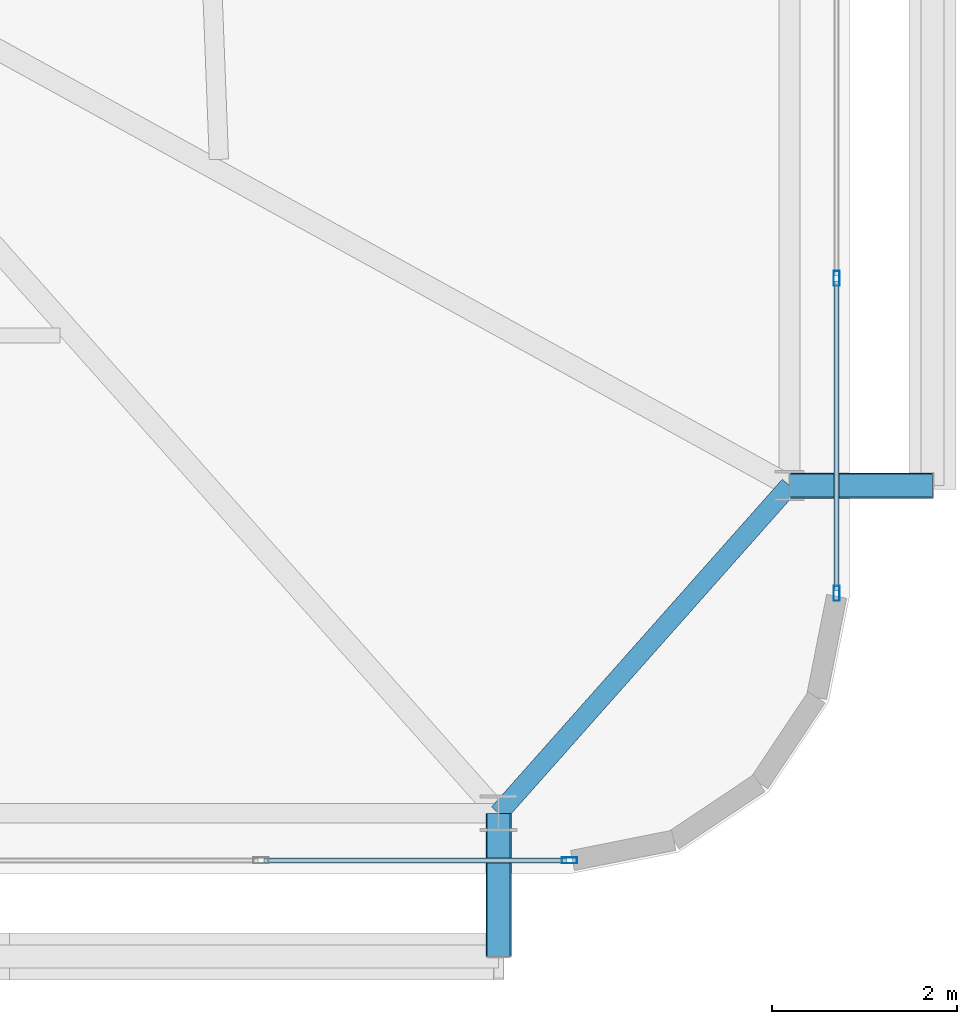
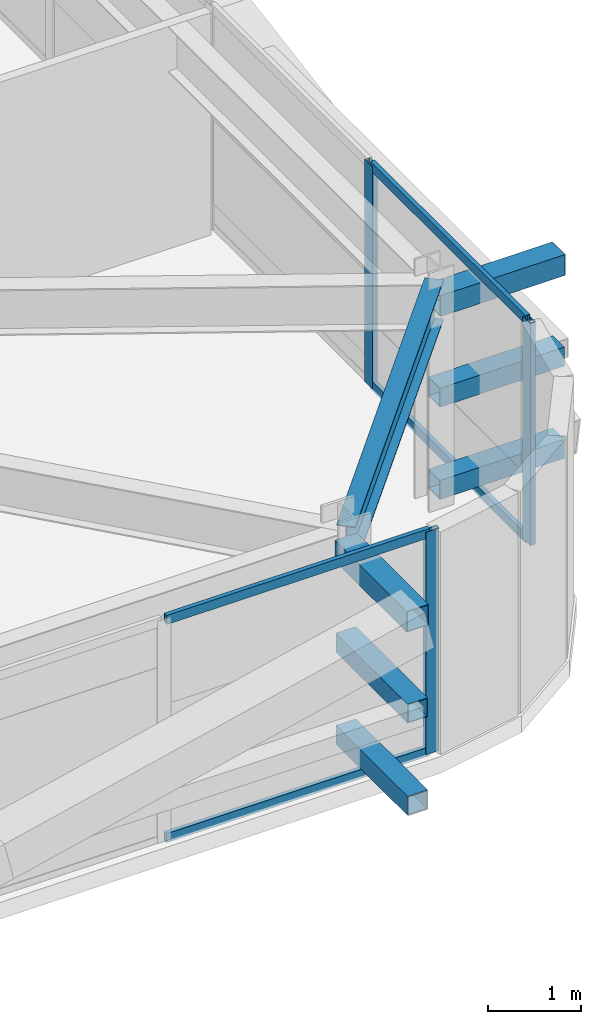
# One storey, part 24 of 59: 13 members, 1 beam, 2 elements without a shape of their own.
"""IFC4 building model written with IfcOpenShell, lengths in metres."""

from ifc_helpers import new_model, si_unit, direction, frame, origin, origin_2d, place, context, subcontext, project, spatial, hollow_rectangle, i_section, extrude, source, transform, mapped, material, layer, layer_set, material_profile, profile_set, type_object, element, aggregate, save


model = new_model("IFC4")

# Units and contexts
model_context = context("Model", 3, precision=1e-05, world=origin(), true_north=direction((0.0, 1.0)))
body_context = subcontext(model_context, "Body", "Model", "MODEL_VIEW")
ifc_project = project(units=[si_unit("LENGTHUNIT", "METRE"), si_unit("AREAUNIT", "SQUARE_METRE"), si_unit("VOLUMEUNIT", "CUBIC_METRE"), si_unit("PLANEANGLEUNIT", "RADIAN"), si_unit("MASSUNIT", "GRAM", prefix="KILO")], contexts=[model_context])

# Site, building, storey
site_placement = place(None, origin())
site = spatial("IfcSite", under=ifc_project, at=site_placement, CompositionType="ELEMENT")
building_placement = place(site_placement, origin())
building = spatial("IfcBuilding", under=site, at=building_placement, Name="Taldren Reach Tower", CompositionType="ELEMENT")
storey_placement = place(building_placement, frame((0.0, 0.0, 29.39990234375)))
storey = spatial("IfcBuildingStorey", under=building, at=storey_placement, Name="L08", CompositionType="ELEMENT", Elevation=29.39990234375)

# Beam
ifc_material_1 = material(Name="Steel Gr 350 (350PLUS)", Category="steel")
ifc_material_profile_1 = material_profile(ifc_material_1, i_section(OverallWidth=0.208984375, OverallDepth=0.528076171875, WebThickness=0.009521484375, FlangeThickness=0.01318359375, at=origin_2d()), Name="530UB82.0")
ifc_profile_set_1 = profile_set([ifc_material_profile_1], Name="Steel Gr 350 (350PLUS)")
beam_type = type_object("IfcBeamType", Name="SP-UB530B", PredefinedType="SPANDREL", material=ifc_profile_set_1)
shared_shape_1 = source(origin(), body_context, "Body", "SweptSolid", [
    extrude(i_section(OverallWidth=0.208984375, OverallDepth=0.528076171875, WebThickness=0.009521484375, FlangeThickness=0.01318359375, at=origin_2d()), origin(), (0.0, 0.0, 1.0), 4.74609375),
])
beam_placement = place(storey_placement, frame((61.199951171875, 2.14990234375, 2.666015625), z_axis=(0.663721843779, 0.747979487747, 0.0), x_axis=(-0.747979487747, 0.663721843779, 0.0)))
element("IfcBeam", 1, at=beam_placement, inside=storey, type_object=beam_type, Name="Perimeter spandrel B1 S6-E1 L08", PredefinedType="SPANDREL", context=body_context, shape_type="MappedRepresentation", body=[
    mapped(shared_shape_1, transform((0.0, 0.0, 0.0), scale=1.0)),
])

# Members
ifc_material_2 = material(Name="Steel Gr 450 (C450L0)", Category="steel")
ifc_material_profile_2 = material_profile(ifc_material_2, hollow_rectangle(XDim=0.27490234375, YDim=0.27490234375, WallThickness=0.00927734375, at=origin_2d()), Name="275x275x9.3SHS")
ifc_profile_set_2 = profile_set([ifc_material_profile_2], Name="Steel Gr 450 (C450L0)")
member_type_1 = type_object("IfcMemberType", Name="MB-TIE273", PredefinedType="STRUT", material=ifc_profile_set_2)
shared_shape_2 = source(origin(), body_context, "Body", "SweptSolid", [
    extrude(hollow_rectangle(XDim=0.27490234375, YDim=0.27490234375, WallThickness=0.00927734375, at=origin_2d()), origin(), (0.0, 0.0, 1.0), 1.5498046875),
])
for number, where, z_axis, x_axis, name in (
    (2, (61.199951171875, 2.14990234375, 2.650146484375), (0.0, -1.0, 0.0), (1.0, 0.0, 0.0), "Exoskeleton diaphragm tie strut B1-S6 L08"),
    (3, (64.35009765625, 5.699951171875, 2.650146484375), (1.0, 0.0, 0.0), (0.0, 1.0, 0.0), "Exoskeleton diaphragm tie strut B1-E1 L08"),
):
    element("IfcMember", number, at=place(storey_placement, frame(where, z_axis=z_axis, x_axis=x_axis)), inside=storey, type_object=member_type_1, Name=name, PredefinedType="STRUT", context=body_context, shape_type="MappedRepresentation", body=[
        mapped(shared_shape_2, transform((0.0, 0.0, 0.0), scale=1.0)),
    ])
ifc_material_3 = material(Name="Steel Gr 350 (C350L0)", Category="steel")
ifc_material_profile_3 = material_profile(ifc_material_3, hollow_rectangle(XDim=0.25, YDim=0.25, WallThickness=0.010009765625, at=origin_2d()), Name="250x250x10.0SHS")
ifc_profile_set_3 = profile_set([ifc_material_profile_3], Name="Steel Gr 350 (C350L0)")
member_type_2 = type_object("IfcMemberType", Name="MB-POST250", PredefinedType="POST", material=ifc_profile_set_3)
shared_shape_3 = source(origin(), body_context, "Body", "SweptSolid", [
    extrude(hollow_rectangle(XDim=0.25, YDim=0.25, WallThickness=0.010009765625, at=origin_2d()), origin(), (0.0, 0.0, 1.0), 1.5498046875),
])
for number, where, z_axis, x_axis, name in (
    (4, (61.199951171875, 2.14990234375, 0.22021484375), (0.0, -1.0, 0.0), (1.0, 0.0, 0.0), "Exoskeleton base diaphragm tie strut B1-S6 L08"),
    (5, (64.35009765625, 5.699951171875, 0.22021484375), (1.0, 0.0, 0.0), (0.0, 1.0, 0.0), "Exoskeleton base diaphragm tie strut B1-E1 L08"),
    (6, (61.199951171875, 2.14990234375, 1.43505859375), (0.0, -1.0, 0.0), (1.0, 0.0, 0.0), "Exoskeleton mid-tier diaphragm tie B1-S6 L08"),
    (7, (64.35009765625, 5.699951171875, 1.43505859375), (1.0, 0.0, 0.0), (0.0, 1.0, 0.0), "Exoskeleton mid-tier diaphragm tie B1-E1 L08"),
):
    element("IfcMember", number, at=place(storey_placement, frame(where, z_axis=z_axis, x_axis=x_axis)), inside=storey, type_object=member_type_2, Name=name, PredefinedType="POST", context=body_context, shape_type="MappedRepresentation", body=[
        mapped(shared_shape_3, transform((0.0, 0.0, 0.0), scale=1.0)),
    ])

# Curtain wall, members
ifc_material_4 = material(Name="Aluminium and Low-E Glass Unitised System", Category="aluminium")
ifc_layer = layer(ifc_material_4, 0.159912109375)
ifc_layer_set = layer_set([ifc_layer], Name="Aluminium and Low-E Glass Unitised System")
curtain_wall_type = type_object("IfcCurtainWallType", Name="CW-SYS-2", PredefinedType="NOTDEFINED", material=ifc_layer_set)
curtain_wall_1_placement = place(storey_placement, origin())
curtain_wall_1 = element("IfcCurtainWall", 8, at=curtain_wall_1_placement, inside=storey, type_object=curtain_wall_type, Name="Unitised curtain wall CW-L08-S", PredefinedType="NOTDEFINED")
ifc_material_5 = material(Name="Anodised Aluminium 6063-T6", Category="aluminium")
ifc_material_profile_4 = material_profile(ifc_material_5, hollow_rectangle(XDim=0.054931640625, YDim=0.1201171875, WallThickness=0.0029296875, at=origin_2d()), Name="ALU-120x55x3RHS")
ifc_profile_set_4 = profile_set([ifc_material_profile_4], Name="Anodised Aluminium 6063-T6")
member_type_3 = type_object("IfcMemberType", Name="CW-TRN-135", PredefinedType="USERDEFINED", material=ifc_profile_set_4)
shared_shape_4 = source(origin(), body_context, "Body", "SweptSolid", [
    extrude(hollow_rectangle(XDim=0.054931640625, YDim=0.1201171875, WallThickness=0.0029296875, at=origin_2d()), origin(), (0.0, 0.0, 1.0), 3.277587890625),
])
member_1_placement = place(storey_placement, frame((58.657470703125, 1.639892578125, 0.027587890625), z_axis=(1.0, 0.0, 0.0), x_axis=(0.0, 1.0, 0.0)))
member_1 = element("IfcMember", 9, at=member_1_placement, type_object=member_type_3, Name="CW-2 transom 16.1", ObjectType="TRANSOM", PredefinedType="USERDEFINED", context=body_context, shape_type="MappedRepresentation", body=[
    mapped(shared_shape_4, transform((0.0, 0.0, 0.0), scale=1.0)),
])
member_2_placement = place(storey_placement, frame((58.657470703125, 1.639892578125, 2.902587890625), z_axis=(1.0, 0.0, 0.0), x_axis=(0.0, 1.0, 0.0)))
member_2 = element("IfcMember", 10, at=member_2_placement, type_object=member_type_3, Name="CW-2 transom 16.2", ObjectType="TRANSOM", PredefinedType="USERDEFINED", context=body_context, shape_type="MappedRepresentation", body=[
    mapped(shared_shape_4, transform((0.0, 0.0, 0.0), scale=1.0)),
])

curtain_wall_2_placement = place(storey_placement, origin())
curtain_wall_2 = element("IfcCurtainWall", 11, at=curtain_wall_2_placement, inside=storey, type_object=curtain_wall_type, Name="Unitised curtain wall CW-L08-E", PredefinedType="NOTDEFINED")
shared_shape_5 = source(origin(), body_context, "Body", "SweptSolid", [
    extrude(hollow_rectangle(XDim=0.054931640625, YDim=0.1201171875, WallThickness=0.0029296875, at=origin_2d()), origin(), (0.0, 0.0, 1.0), 3.346923828125),
])
member_3_placement = place(storey_placement, frame((64.860107421875, 4.56494140625, 0.027587890625), z_axis=(0.0, 1.0, 0.0), x_axis=(-1.0, 0.0, 0.0)))
member_3 = element("IfcMember", 12, at=member_3_placement, type_object=member_type_3, Name="CW-2 transom 1.1", ObjectType="TRANSOM", PredefinedType="USERDEFINED", context=body_context, shape_type="MappedRepresentation", body=[
    mapped(shared_shape_5, transform((0.0, 0.0, 0.0), scale=1.0)),
])
member_4_placement = place(storey_placement, frame((64.860107421875, 4.56494140625, 2.902587890625), z_axis=(0.0, 1.0, 0.0), x_axis=(-1.0, 0.0, 0.0)))
member_4 = element("IfcMember", 13, at=member_4_placement, type_object=member_type_3, Name="CW-2 transom 1.2", ObjectType="TRANSOM", PredefinedType="USERDEFINED", context=body_context, shape_type="MappedRepresentation", body=[
    mapped(shared_shape_5, transform((0.0, 0.0, 0.0), scale=1.0)),
])

# Member
ifc_material_profile_5 = material_profile(ifc_material_5, hollow_rectangle(XDim=0.06494140625, YDim=0.1650390625, WallThickness=0.00390625, at=origin_2d()), Name="ALU-165x65x4RHS")
ifc_profile_set_5 = profile_set([ifc_material_profile_5], Name="Anodised Aluminium 6063-T6")
member_type_4 = type_object("IfcMemberType", Name="CW-MUL-165", PredefinedType="MULLION", material=ifc_profile_set_5)
shared_shape_6 = source(origin(), body_context, "Body", "SweptSolid", [
    extrude(hollow_rectangle(XDim=0.06494140625, YDim=0.1650390625, WallThickness=0.00390625, at=origin_2d()), origin(), (0.0, 0.0, 1.0), 2.93017578125),
])
member_5_placement = place(storey_placement, frame((61.967529296875, 1.639892578125, 0.0), z_axis=(0.0, 0.0, 1.0), x_axis=(0.0, 1.0, 0.0)))
member_5 = element("IfcMember", 14, at=member_5_placement, type_object=member_type_4, Name="CW-2 mullion 17", PredefinedType="MULLION", context=body_context, shape_type="MappedRepresentation", body=[
    mapped(shared_shape_6, transform((0.0, 0.0, 0.0), scale=1.0)),
])

aggregate(curtain_wall_1, [member_5, member_1, member_2])

member_6_placement = place(storey_placement, frame((64.860107421875, 4.532470703125, 0.0), z_axis=(0.0, 0.0, 1.0), x_axis=(-1.0, 0.0, 0.0)))
member_6 = element("IfcMember", 15, at=member_6_placement, type_object=member_type_4, Name="CW-2 mullion 1", PredefinedType="MULLION", context=body_context, shape_type="MappedRepresentation", body=[
    mapped(shared_shape_6, transform((0.0, 0.0, 0.0), scale=1.0)),
])

member_7_placement = place(storey_placement, frame((64.860107421875, 7.9443359375, 0.0), z_axis=(0.0, 0.0, 1.0), x_axis=(-1.0, 0.0, 0.0)))
member_7 = element("IfcMember", 16, at=member_7_placement, type_object=member_type_4, Name="CW-2 mullion 2", PredefinedType="MULLION", context=body_context, shape_type="MappedRepresentation", body=[
    mapped(shared_shape_6, transform((0.0, 0.0, 0.0), scale=1.0)),
])

aggregate(curtain_wall_2, [member_6, member_7, member_3, member_4])

save(model, "model.ifc")
